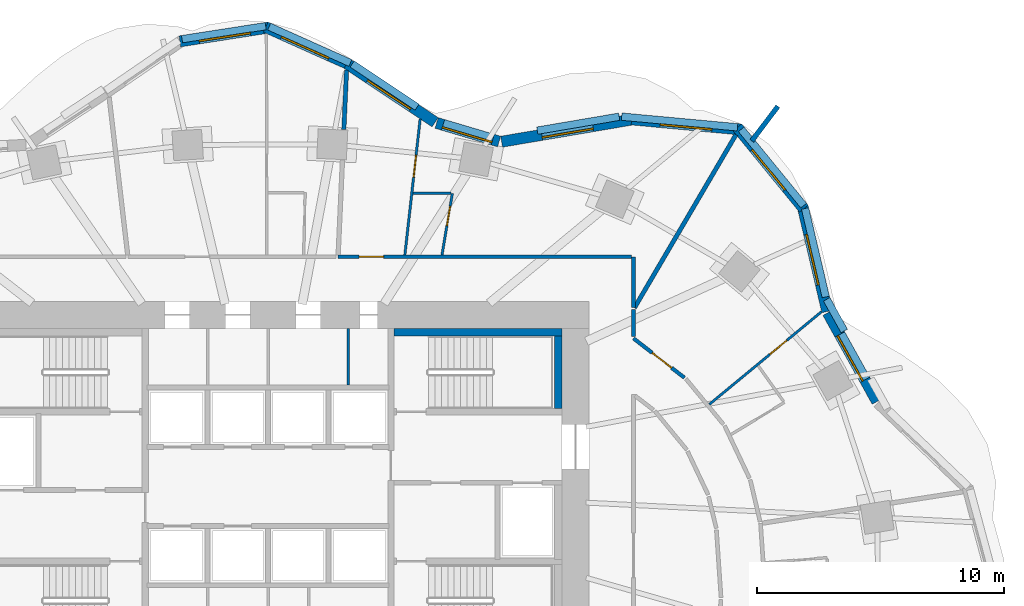
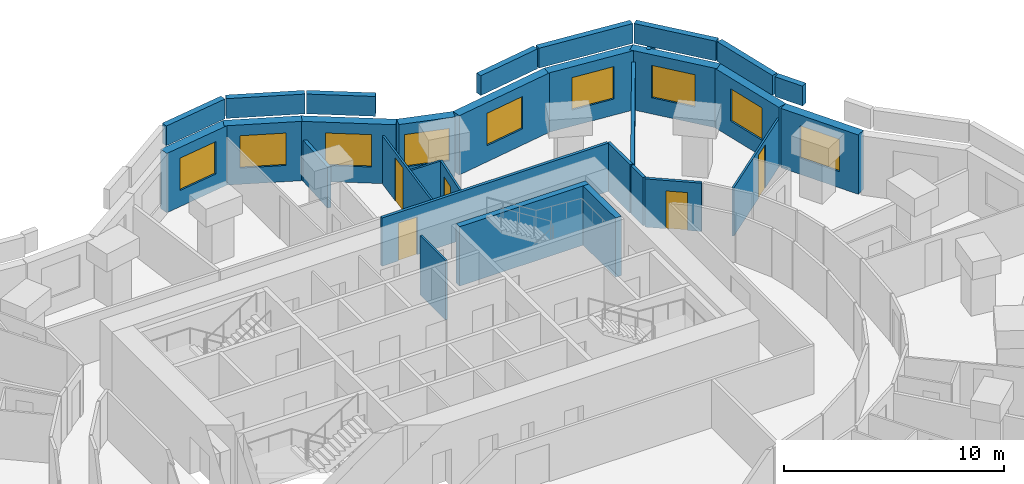
# One storey, part 10 of 12: 31 walls, 9 windows, 5 doors, 14 openings.
"""IFC4 building model written with IfcOpenShell, lengths in metres."""

from ifc_helpers import new_model, si_unit, direction, frame, frame_2d, origin, place, context, subcontext, project, spatial, rectangle, extrude, material, layer, layer_set, type_object, element, fill, save


model = new_model("IFC4")

# Units and contexts
model_context = context("Model", 3, precision=1e-05, world=origin(), true_north=direction((0.0, 1.0)))
body_context = subcontext(model_context, "Body", "Model", "MODEL_VIEW")
ifc_project = project(units=[si_unit("LENGTHUNIT", "METRE"), si_unit("AREAUNIT", "SQUARE_METRE"), si_unit("VOLUMEUNIT", "CUBIC_METRE"), si_unit("PLANEANGLEUNIT", "RADIAN"), si_unit("MASSUNIT", "GRAM", prefix="KILO")], contexts=[model_context])

# Site, building, storey
site_placement = place(None, origin())
site = spatial("IfcSite", under=ifc_project, at=site_placement, CompositionType="ELEMENT")
building_placement = place(site_placement, origin())
building = spatial("IfcBuilding", under=site, at=building_placement, Name="Rubra Terraces Tower", CompositionType="ELEMENT")
storey_placement = place(building_placement, frame((0.0, 0.0, 117.60009765625)))
storey = spatial("IfcBuildingStorey", under=building, at=storey_placement, Name="L28", CompositionType="ELEMENT", Elevation=117.60009765625)

# Walls
ifc_material_1 = material(Name="Twin plasterboard on staggered steel stud, acoustic mineral wool", Category="steel")
ifc_layer_1 = layer(ifc_material_1, 0.175048828125)
ifc_layer_set_1 = layer_set([ifc_layer_1], Name="Twin plasterboard on staggered steel stud, acoustic mineral wool")
wall_type_1 = type_object("IfcWallType", Name="ACOUSTIC PARTY WALL 175", PredefinedType="PARTITIONING", material=ifc_layer_set_1)
wall_1_placement = place(storey_placement, frame((18.94873046875, 18.745361328125, 0.0), z_axis=(0.0, 0.0, 1.0), x_axis=(-0.505754187447, -0.862677634972, 0.0)))
element("IfcWall", 1, at=wall_1_placement, inside=storey, type_object=wall_type_1, Name="PARTITION", PredefinedType="PARTITIONING", context=body_context, shape_type="SweptSolid", body=[
    extrude(rectangle(XDim=8.128173828125, YDim=0.175048828125, at=frame_2d((4.06396484375, 0.0))), origin(), (0.0, 0.0, 1.0), 2.683837890625),
])
ifc_layer_2 = layer(ifc_material_1, 0.175048828125)
ifc_layer_set_2 = layer_set([ifc_layer_2], Name="Twin plasterboard on staggered steel stud, acoustic mineral wool")
wall_type_2 = type_object("IfcWallType", Name="ACOUSTIC PARTY WALL 175 LOW HEAD", PredefinedType="PARTITIONING", material=ifc_layer_set_2)
wall_2_placement = place(storey_placement, frame((3.180419921875, 21.357177734375, 0.0), z_axis=(0.0, 0.0, 1.0), x_axis=(-0.045591899448, -0.998960148707, 0.0)))
element("IfcWall", 2, at=wall_2_placement, inside=storey, type_object=wall_type_2, Name="PARTITION", PredefinedType="PARTITIONING", context=body_context, shape_type="SweptSolid", body=[
    extrude(rectangle(XDim=2.404296875, YDim=0.175048828125, at=frame_2d((1.2021484375, 0.0))), origin(), (0.0, 0.0, 1.0), 2.27978515625),
])

# Wall, opening, window
ifc_material_2 = material(Name="Brick masonry red-brown", Category="masonry")
ifc_layer_3 = layer(ifc_material_2, 0.449951171875)
ifc_layer_set_3 = layer_set([ifc_layer_3], Name="Brick masonry red-brown")
wall_type_3 = type_object("IfcWallType", Name="Brick facade wall 450", PredefinedType="SOLIDWALL", material=ifc_layer_set_3)
wall_3_placement = place(storey_placement, frame((24.662109375, 7.93896484375, 0.0), z_axis=(0.0, 0.0, 1.0), x_axis=(-0.485153910721, 0.874428775208, 0.0)))
wall_3 = element("IfcWall", 3, at=wall_3_placement, inside=storey, type_object=wall_type_3, Name="Facade wall L28 bay 3", PredefinedType="SOLIDWALL", context=body_context, shape_type="SweptSolid", body=[
    extrude(rectangle(XDim=4.1123046875, YDim=0.449951171875, at=frame_2d((2.05615234375, 0.0))), origin(), (0.0, 0.0, 1.0), 3.2998046875),
])
opening_1_placement = place(wall_3_placement, frame((1.006103515625, 0.0, 0.89990234375)))
opening_1 = element("IfcOpeningElement", 4, at=opening_1_placement, cuts=wall_3, Name="Opening W1Z", PredefinedType="OPENING", context=body_context, shape_type="SweptSolid", body=[
    extrude(rectangle(XDim=2.10009765625, YDim=1.800048828125, at=frame_2d((1.050048828125, 0.89990234375))), frame((0.0, 0.23486328125, 0.0), z_axis=(0.0, -1.0, 0.0), x_axis=(1.0, 0.0, 0.0)), (0.0, 0.0, 1.0), 0.469970703125),
])
ifc_material_3 = material(Name="Clear glass in aluminium frame", Category="aluminium")
window_type = type_object("IfcWindowType", Name="Fixed deep-set window under transfer level 2100 x 1800", PartitioningType="SINGLE_PANEL", PredefinedType="WINDOW", material=ifc_material_3)
window_1_placement = place(opening_1_placement, origin())
window_1 = element("IfcWindow", 5, at=window_1_placement, inside=storey, type_object=window_type, Name="Window L28 bay 3", OverallHeight=1.800048828125, OverallWidth=2.10009765625, PartitioningType="SINGLE_PANEL", PredefinedType="WINDOW", context=body_context, shape_type="SweptSolid", body=[
    extrude(rectangle(XDim=2.10009765625, YDim=1.800048828125, at=frame_2d((1.050048828125, 0.89990234375))), frame((0.0, 0.135009765625, 0.0), z_axis=(0.0, -1.0, 0.0), x_axis=(1.0, 0.0, 0.0)), (0.0, 0.0, 1.0), 0.06005859375),
])
fill(opening_1, window_1)

wall_4_placement = place(storey_placement, frame((22.646484375, 11.5859375, 0.0), z_axis=(0.0, 0.0, 1.0), x_axis=(-0.227925124198, 0.973678662475, 0.0)))
wall_4 = element("IfcWall", 6, at=wall_4_placement, inside=storey, type_object=wall_type_3, Name="Facade wall L28 bay 4", PredefinedType="SOLIDWALL", context=body_context, shape_type="SweptSolid", body=[
    extrude(rectangle(XDim=4.360595703125, YDim=0.449951171875, at=frame_2d((2.18017578125, 0.0))), origin(), (0.0, 0.0, 1.0), 3.2998046875),
])
opening_2_placement = place(wall_4_placement, frame((1.13037109375, 0.0, 0.89990234375)))
opening_2 = element("IfcOpeningElement", 7, at=opening_2_placement, cuts=wall_4, Name="Opening W1Z", PredefinedType="OPENING", context=body_context, shape_type="SweptSolid", body=[
    extrude(rectangle(XDim=2.10009765625, YDim=1.800048828125, at=frame_2d((1.050048828125, 0.89990234375))), frame((0.0, 0.23486328125, 0.0), z_axis=(0.0, -1.0, 0.0), x_axis=(1.0, 0.0, 0.0)), (0.0, 0.0, 1.0), 0.469970703125),
])
window_2_placement = place(opening_2_placement, origin())
window_2 = element("IfcWindow", 8, at=window_2_placement, inside=storey, type_object=window_type, Name="Window L28 bay 4", OverallHeight=1.800048828125, OverallWidth=2.10009765625, PartitioningType="SINGLE_PANEL", PredefinedType="WINDOW", context=body_context, shape_type="SweptSolid", body=[
    extrude(rectangle(XDim=2.10009765625, YDim=1.800048828125, at=frame_2d((1.050048828125, 0.89990234375))), frame((0.0, 0.135009765625, 0.0), z_axis=(0.0, -1.0, 0.0), x_axis=(1.0, 0.0, 0.0)), (0.0, 0.0, 1.0), 0.06005859375),
])
fill(opening_2, window_2)

wall_5_placement = place(storey_placement, frame((21.69580078125, 15.74755859375, 0.0), z_axis=(0.0, 0.0, 1.0), x_axis=(-0.632968710519, 0.774177377288, 0.0)))
wall_5 = element("IfcWall", 9, at=wall_5_placement, inside=storey, type_object=wall_type_3, Name="Facade wall L28 bay 5", PredefinedType="SOLIDWALL", context=body_context, shape_type="SweptSolid", body=[
    extrude(rectangle(XDim=4.249755859375, YDim=0.449951171875, at=frame_2d((2.125, 0.0))), origin(), (0.0, 0.0, 1.0), 3.2998046875),
])
opening_3_placement = place(wall_5_placement, frame((1.074951171875, 0.0, 0.89990234375)))
opening_3 = element("IfcOpeningElement", 10, at=opening_3_placement, cuts=wall_5, Name="Opening W1Z", PredefinedType="OPENING", context=body_context, shape_type="SweptSolid", body=[
    extrude(rectangle(XDim=2.10009765625, YDim=1.800048828125, at=frame_2d((1.050048828125, 0.89990234375))), frame((0.0, 0.23486328125, 0.0), z_axis=(0.0, -1.0, 0.0), x_axis=(1.0, 0.0, 0.0)), (0.0, 0.0, 1.0), 0.469970703125),
])
window_3_placement = place(opening_3_placement, origin())
window_3 = element("IfcWindow", 11, at=window_3_placement, inside=storey, type_object=window_type, Name="Window L28 bay 5", OverallHeight=1.800048828125, OverallWidth=2.10009765625, PartitioningType="SINGLE_PANEL", PredefinedType="WINDOW", context=body_context, shape_type="SweptSolid", body=[
    extrude(rectangle(XDim=2.10009765625, YDim=1.800048828125, at=frame_2d((1.050048828125, 0.89990234375))), frame((0.0, 0.135009765625, 0.0), z_axis=(0.0, -1.0, 0.0), x_axis=(1.0, 0.0, 0.0)), (0.0, 0.0, 1.0), 0.06005859375),
])
fill(opening_3, window_3)

wall_6_placement = place(storey_placement, frame((19.1591796875, 18.955810546875, 0.0), z_axis=(0.0, 0.0, 1.0), x_axis=(-0.995777399421, 0.091800712424, 0.0)))
wall_6 = element("IfcWall", 12, at=wall_6_placement, inside=storey, type_object=wall_type_3, Name="Facade wall L28 bay 6", PredefinedType="SOLIDWALL", context=body_context, shape_type="SweptSolid", body=[
    extrude(rectangle(XDim=4.45458984375, YDim=0.449951171875, at=frame_2d((2.227294921875, 0.0))), origin(), (0.0, 0.0, 1.0), 3.2998046875),
])
opening_4_placement = place(wall_6_placement, frame((1.177490234375, 0.0, 0.89990234375)))
opening_4 = element("IfcOpeningElement", 13, at=opening_4_placement, cuts=wall_6, Name="Opening W1Z", PredefinedType="OPENING", context=body_context, shape_type="SweptSolid", body=[
    extrude(rectangle(XDim=2.10009765625, YDim=1.800048828125, at=frame_2d((1.050048828125, 0.89990234375))), frame((0.0, 0.23486328125, 0.0), z_axis=(0.0, -1.0, 0.0), x_axis=(1.0, 0.0, 0.0)), (0.0, 0.0, 1.0), 0.469970703125),
])
window_4_placement = place(opening_4_placement, origin())
window_4 = element("IfcWindow", 14, at=window_4_placement, inside=storey, type_object=window_type, Name="Window L28 bay 6", OverallHeight=1.800048828125, OverallWidth=2.10009765625, PartitioningType="SINGLE_PANEL", PredefinedType="WINDOW", context=body_context, shape_type="SweptSolid", body=[
    extrude(rectangle(XDim=2.10009765625, YDim=1.800048828125, at=frame_2d((1.050048828125, 0.89990234375))), frame((0.0, 0.135009765625, 0.0), z_axis=(0.0, -1.0, 0.0), x_axis=(1.0, 0.0, 0.0)), (0.0, 0.0, 1.0), 0.06005859375),
])
fill(opening_4, window_4)

wall_7_placement = place(storey_placement, frame((14.78173828125, 19.366943359375, 0.0), z_axis=(0.0, 0.0, 1.0), x_axis=(-0.98585584667, -0.167595493934, 0.0)))
wall_7 = element("IfcWall", 15, at=wall_7_placement, inside=storey, type_object=wall_type_3, Name="Facade wall L28 bay 7", PredefinedType="SOLIDWALL", context=body_context, shape_type="SweptSolid", body=[
    extrude(rectangle(XDim=5.398681640625, YDim=0.449951171875, at=frame_2d((2.69921875, 0.0))), origin(), (0.0, 0.0, 1.0), 3.2998046875),
])
opening_5_placement = place(wall_7_placement, frame((1.6494140625, 0.0, 0.89990234375)))
opening_5 = element("IfcOpeningElement", 16, at=opening_5_placement, cuts=wall_7, Name="Opening W1Z", PredefinedType="OPENING", context=body_context, shape_type="SweptSolid", body=[
    extrude(rectangle(XDim=2.10009765625, YDim=1.800048828125, at=frame_2d((1.050048828125, 0.89990234375))), frame((0.0, 0.23486328125, 0.0), z_axis=(0.0, -1.0, 0.0), x_axis=(1.0, 0.0, 0.0)), (0.0, 0.0, 1.0), 0.469970703125),
])
window_5_placement = place(opening_5_placement, origin())
window_5 = element("IfcWindow", 17, at=window_5_placement, inside=storey, type_object=window_type, Name="Window L28 bay 7", OverallHeight=1.800048828125, OverallWidth=2.10009765625, PartitioningType="SINGLE_PANEL", PredefinedType="WINDOW", context=body_context, shape_type="SweptSolid", body=[
    extrude(rectangle(XDim=2.10009765625, YDim=1.800048828125, at=frame_2d((1.050048828125, 0.89990234375))), frame((0.0, 0.135009765625, 0.0), z_axis=(0.0, -1.0, 0.0), x_axis=(1.0, 0.0, 0.0)), (0.0, 0.0, 1.0), 0.06005859375),
])
fill(opening_5, window_5)

wall_8_placement = place(storey_placement, frame((9.357421875, 18.468505859375, 0.0), z_axis=(0.0, 0.0, 1.0), x_axis=(-0.958524054629, 0.285011643091, 0.0)))
wall_8 = element("IfcWall", 18, at=wall_8_placement, inside=storey, type_object=wall_type_3, Name="Facade wall L28 bay 8", PredefinedType="SOLIDWALL", context=body_context, shape_type="SweptSolid", body=[
    extrude(rectangle(XDim=2.637451171875, YDim=0.449951171875, at=frame_2d((1.31884765625, 0.0))), origin(), (0.0, 0.0, 1.0), 3.2998046875),
])
opening_6_placement = place(wall_8_placement, frame((0.268798828125, 0.0, 0.89990234375)))
opening_6 = element("IfcOpeningElement", 19, at=opening_6_placement, cuts=wall_8, Name="Opening W1Z", PredefinedType="OPENING", context=body_context, shape_type="SweptSolid", body=[
    extrude(rectangle(XDim=2.10009765625, YDim=1.800048828125, at=frame_2d((1.050048828125, 0.89990234375))), frame((0.0, 0.23486328125, 0.0), z_axis=(0.0, -1.0, 0.0), x_axis=(1.0, 0.0, 0.0)), (0.0, 0.0, 1.0), 0.469970703125),
])
window_6_placement = place(opening_6_placement, origin())
window_6 = element("IfcWindow", 20, at=window_6_placement, inside=storey, type_object=window_type, Name="Window L28 bay 8", OverallHeight=1.800048828125, OverallWidth=2.10009765625, PartitioningType="SINGLE_PANEL", PredefinedType="WINDOW", context=body_context, shape_type="SweptSolid", body=[
    extrude(rectangle(XDim=2.10009765625, YDim=1.800048828125, at=frame_2d((1.050048828125, 0.89990234375))), frame((0.0, 0.135009765625, 0.0), z_axis=(0.0, -1.0, 0.0), x_axis=(1.0, 0.0, 0.0)), (0.0, 0.0, 1.0), 0.06005859375),
])
fill(opening_6, window_6)

wall_9_placement = place(storey_placement, frame((6.76904296875, 19.248291015625, 0.0), z_axis=(0.0, 0.0, 1.0), x_axis=(-0.832973379274, 0.553313066375, 0.0)))
wall_9 = element("IfcWall", 21, at=wall_9_placement, inside=storey, type_object=wall_type_3, Name="Facade wall L28 bay 9", PredefinedType="SOLIDWALL", context=body_context, shape_type="SweptSolid", body=[
    extrude(rectangle(XDim=4.348388671875, YDim=0.449951171875, at=frame_2d((2.17431640625, 0.0))), origin(), (0.0, 0.0, 1.0), 3.2998046875),
])
opening_7_placement = place(wall_9_placement, frame((1.1240234375, 0.0, 0.89990234375)))
opening_7 = element("IfcOpeningElement", 22, at=opening_7_placement, cuts=wall_9, Name="Opening W1Z", PredefinedType="OPENING", context=body_context, shape_type="SweptSolid", body=[
    extrude(rectangle(XDim=2.10009765625, YDim=1.800048828125, at=frame_2d((1.050048828125, 0.89990234375))), frame((0.0, 0.23486328125, 0.0), z_axis=(0.0, -1.0, 0.0), x_axis=(1.0, 0.0, 0.0)), (0.0, 0.0, 1.0), 0.469970703125),
])
window_7_placement = place(opening_7_placement, origin())
window_7 = element("IfcWindow", 23, at=window_7_placement, inside=storey, type_object=window_type, Name="Window L28 bay 9", OverallHeight=1.800048828125, OverallWidth=2.10009765625, PartitioningType="SINGLE_PANEL", PredefinedType="WINDOW", context=body_context, shape_type="SweptSolid", body=[
    extrude(rectangle(XDim=2.10009765625, YDim=1.800048828125, at=frame_2d((1.050048828125, 0.89990234375))), frame((0.0, 0.135009765625, 0.0), z_axis=(0.0, -1.0, 0.0), x_axis=(1.0, 0.0, 0.0)), (0.0, 0.0, 1.0), 0.06005859375),
])
fill(opening_7, window_7)

wall_10_placement = place(storey_placement, frame((3.179443359375, 21.63623046875, 0.0), z_axis=(0.0, 0.0, 1.0), x_axis=(-0.912608353595, 0.40883492139, 0.0)))
wall_10 = element("IfcWall", 24, at=wall_10_placement, inside=storey, type_object=wall_type_3, Name="Facade wall L28 bay 10", PredefinedType="SOLIDWALL", context=body_context, shape_type="SweptSolid", body=[
    extrude(rectangle(XDim=3.584716796875, YDim=0.449951171875, at=frame_2d((1.79248046875, 0.0))), origin(), (0.0, 0.0, 1.0), 3.2998046875),
])
opening_8_placement = place(wall_10_placement, frame((0.7421875, 0.0, 0.89990234375)))
opening_8 = element("IfcOpeningElement", 25, at=opening_8_placement, cuts=wall_10, Name="Opening W1Z", PredefinedType="OPENING", context=body_context, shape_type="SweptSolid", body=[
    extrude(rectangle(XDim=2.10009765625, YDim=1.800048828125, at=frame_2d((1.050048828125, 0.89990234375))), frame((0.0, 0.23486328125, 0.0), z_axis=(0.0, -1.0, 0.0), x_axis=(1.0, 0.0, 0.0)), (0.0, 0.0, 1.0), 0.469970703125),
])
window_8_placement = place(opening_8_placement, origin())
window_8 = element("IfcWindow", 26, at=window_8_placement, inside=storey, type_object=window_type, Name="Window L28 bay 10", OverallHeight=1.800048828125, OverallWidth=2.10009765625, PartitioningType="SINGLE_PANEL", PredefinedType="WINDOW", context=body_context, shape_type="SweptSolid", body=[
    extrude(rectangle(XDim=2.10009765625, YDim=1.800048828125, at=frame_2d((1.050048828125, 0.89990234375))), frame((0.0, 0.135009765625, 0.0), z_axis=(0.0, -1.0, 0.0), x_axis=(1.0, 0.0, 0.0)), (0.0, 0.0, 1.0), 0.06005859375),
])
fill(opening_8, window_8)

wall_11_placement = place(storey_placement, frame((0.03466796875, 23.084716796875, 0.0), z_axis=(0.0, 0.0, 1.0), x_axis=(-0.988133637562, -0.153596596054, 0.0)))
wall_11 = element("IfcWall", 27, at=wall_11_placement, inside=storey, type_object=wall_type_3, Name="Facade wall L28 bay 11", PredefinedType="SOLIDWALL", context=body_context, shape_type="SweptSolid", body=[
    extrude(rectangle(XDim=3.646240234375, YDim=0.449951171875, at=frame_2d((1.8232421875, 0.0))), origin(), (0.0, 0.0, 1.0), 3.2998046875),
])
opening_9_placement = place(wall_11_placement, frame((0.773193359375, 0.0, 0.89990234375)))
opening_9 = element("IfcOpeningElement", 28, at=opening_9_placement, cuts=wall_11, Name="Opening W1Z", PredefinedType="OPENING", context=body_context, shape_type="SweptSolid", body=[
    extrude(rectangle(XDim=2.10009765625, YDim=1.800048828125, at=frame_2d((1.050048828125, 0.89990234375))), frame((0.0, 0.23486328125, 0.0), z_axis=(0.0, -1.0, 0.0), x_axis=(1.0, 0.0, 0.0)), (0.0, 0.0, 1.0), 0.469970703125),
])
window_9_placement = place(opening_9_placement, origin())
window_9 = element("IfcWindow", 29, at=window_9_placement, inside=storey, type_object=window_type, Name="Window L28 bay 11", OverallHeight=1.800048828125, OverallWidth=2.10009765625, PartitioningType="SINGLE_PANEL", PredefinedType="WINDOW", context=body_context, shape_type="SweptSolid", body=[
    extrude(rectangle(XDim=2.10009765625, YDim=1.800048828125, at=frame_2d((1.050048828125, 0.89990234375))), frame((0.0, 0.135009765625, 0.0), z_axis=(0.0, -1.0, 0.0), x_axis=(1.0, 0.0, 0.0)), (0.0, 0.0, 1.0), 0.06005859375),
])
fill(opening_9, window_9)

# Walls
ifc_layer_4 = layer(ifc_material_2, 0.300048828125)
ifc_layer_set_4 = layer_set([ifc_layer_4], Name="Brick masonry red-brown")
wall_type_4 = type_object("IfcWallType", Name="Brick parapet 300", PredefinedType="PARAPET", material=ifc_layer_set_4)
wall_12_placement = place(storey_placement, frame((23.333251953125, 10.7978515625, 3.599853515625), z_axis=(0.0, 0.0, 1.0), x_axis=(-0.4851761923, 0.874416412486, 0.0)))
element("IfcWall", 30, at=wall_12_placement, inside=storey, type_object=wall_type_4, Name="Parapet L28 bay 3.2", PredefinedType="PARAPET", context=body_context, shape_type="SweptSolid", body=[
    extrude(rectangle(XDim=1.4658203125, YDim=0.300048828125, at=frame_2d((0.73291015625, 0.0))), origin(), (0.0, 0.0, 1.0), 1.10009765625),
])
wall_13_placement = place(storey_placement, frame((22.585693359375, 12.173583984375, 3.599853515625), z_axis=(0.0, 0.0, 1.0), x_axis=(-0.227889817295, 0.973686926673, 0.0)))
element("IfcWall", 31, at=wall_13_placement, inside=storey, type_object=wall_type_4, Name="Parapet L28 bay 4", PredefinedType="PARAPET", context=body_context, shape_type="SweptSolid", body=[
    extrude(rectangle(XDim=3.68212890625, YDim=0.300048828125, at=frame_2d((1.841064453125, 0.0))), origin(), (0.0, 0.0, 1.0), 1.10009765625),
])
wall_14_placement = place(storey_placement, frame((21.69091796875, 15.8720703125, 3.599853515625), z_axis=(0.0, 0.0, 1.0), x_axis=(-0.632984818356, 0.774164207214, 0.0)))
element("IfcWall", 32, at=wall_14_placement, inside=storey, type_object=wall_type_4, Name="Parapet L28 bay 5", PredefinedType="PARAPET", context=body_context, shape_type="SweptSolid", body=[
    extrude(rectangle(XDim=3.99462890625, YDim=0.300048828125, at=frame_2d((1.997314453125, 0.0))), origin(), (0.0, 0.0, 1.0), 1.10009765625),
])
wall_15_placement = place(storey_placement, frame((19.01123046875, 19.044921875, 3.599853515625), z_axis=(0.0, 0.0, 1.0), x_axis=(-0.995781185236, 0.091759637809, 0.0)))
element("IfcWall", 33, at=wall_15_placement, inside=storey, type_object=wall_type_4, Name="Parapet L28 bay 6", PredefinedType="PARAPET", context=body_context, shape_type="SweptSolid", body=[
    extrude(rectangle(XDim=4.7119140625, YDim=0.300048828125, at=frame_2d((2.35595703125, 0.0))), origin(), (0.0, 0.0, 1.0), 1.10009765625),
])
wall_16_placement = place(storey_placement, frame((14.220947265625, 19.473388671875, 3.599853515625), z_axis=(0.0, 0.0, 1.0), x_axis=(-0.985863279186, -0.167551767381, 0.0)))
element("IfcWall", 34, at=wall_16_placement, inside=storey, type_object=wall_type_4, Name="Parapet L28 bay 7", PredefinedType="PARAPET", context=body_context, shape_type="SweptSolid", body=[
    extrude(rectangle(XDim=3.364501953125, YDim=0.300048828125, at=frame_2d((1.68212890625, 0.0))), origin(), (0.0, 0.0, 1.0), 1.10009765625),
])
wall_17_placement = place(storey_placement, frame((6.03662109375, 19.86279296875, 3.599853515625), z_axis=(0.0, 0.0, 1.0), x_axis=(-0.832989992548, 0.553288055459, 0.0)))
element("IfcWall", 35, at=wall_17_placement, inside=storey, type_object=wall_type_4, Name="Parapet L28 bay 9", PredefinedType="PARAPET", context=body_context, shape_type="SweptSolid", body=[
    extrude(rectangle(XDim=3.153564453125, YDim=0.300048828125, at=frame_2d((1.57666015625, 0.0))), origin(), (0.0, 0.0, 1.0), 1.10009765625),
])
wall_18_placement = place(storey_placement, frame((3.335693359375, 21.6484375, 3.599853515625), z_axis=(0.0, 0.0, 1.0), x_axis=(-0.912617427268, 0.40881466638, 0.0)))
element("IfcWall", 36, at=wall_18_placement, inside=storey, type_object=wall_type_4, Name="Parapet L28 bay 10", PredefinedType="PARAPET", context=body_context, shape_type="SweptSolid", body=[
    extrude(rectangle(XDim=3.603515625, YDim=0.300048828125, at=frame_2d((1.8017578125, 0.0))), origin(), (0.0, 0.0, 1.0), 1.10009765625),
])
wall_19_placement = place(storey_placement, frame((-0.09423828125, 23.140380859375, 3.599853515625), z_axis=(0.0, 0.0, 1.0), x_axis=(-0.988150084887, -0.153490748056, 0.0)))
element("IfcWall", 37, at=wall_19_placement, inside=storey, type_object=wall_type_4, Name="Parapet L28 bay 11", PredefinedType="PARAPET", context=body_context, shape_type="SweptSolid", body=[
    extrude(rectangle(XDim=3.42919921875, YDim=0.300048828125, at=frame_2d((1.714599609375, 0.0))), origin(), (0.0, 0.0, 1.0), 1.10009765625),
])
ifc_layer_5 = layer(ifc_material_2, 0.199951171875)
ifc_layer_set_5 = layer_set([ifc_layer_5], Name="Brick masonry red-brown")
wall_type_5 = type_object("IfcWallType", Name="Brick wind fin 200", PredefinedType="SOLIDWALL", material=ifc_layer_set_5)
wall_20_placement = place(storey_placement, frame((19.591064453125, 18.498046875, 0.0), z_axis=(0.0, 0.0, 1.0), x_axis=(0.603387525063, 0.797448114048, 0.0)))
element("IfcWall", 38, at=wall_20_placement, inside=storey, type_object=wall_type_5, Name="Wind fin L28 3", PredefinedType="SOLIDWALL", context=body_context, shape_type="SweptSolid", body=[
    extrude(rectangle(XDim=1.75, YDim=0.199951171875, at=frame_2d((0.875, 0.0))), origin(), (0.0, 0.0, 1.0), 3.2998046875),
])

# Wall, opening, door
ifc_material_4 = material(Name="Plasterboard on steel stud, mineral wool infill", Category="steel")
ifc_layer_6 = layer(ifc_material_4, 0.14990234375)
ifc_layer_set_6 = layer_set([ifc_layer_6], Name="Plasterboard on steel stud, mineral wool infill")
wall_type_6 = type_object("IfcWallType", Name="CORRIDOR PARTITION 150", PredefinedType="PARTITIONING", material=ifc_layer_set_6)
wall_21_placement = place(storey_placement, frame((16.86181640625, 8.905029296875, 0.0), z_axis=(0.0, 0.0, 1.0), x_axis=(-0.791542595332, 0.611113999001, 0.0)))
wall_21 = element("IfcWall", 39, at=wall_21_placement, inside=storey, type_object=wall_type_6, Name="PARTITION", PredefinedType="PARTITIONING", context=body_context, shape_type="SweptSolid", body=[
    extrude(rectangle(XDim=2.604736328125, YDim=0.14990234375, at=frame_2d((1.30224609375, 0.0))), origin(), (0.0, 0.0, 1.0), 2.683837890625),
])
opening_10_placement = place(wall_21_placement, frame((0.64990234375, 0.0, 0.0)))
opening_10 = element("IfcOpeningElement", 40, at=opening_10_placement, cuts=wall_21, Name="Opening 28-114", PredefinedType="OPENING", context=body_context, shape_type="SweptSolid", body=[
    extrude(rectangle(XDim=1.0, YDim=2.10009765625, at=frame_2d((0.5, 1.050048828125))), frame((0.0, 0.0849609375, 0.0), z_axis=(0.0, -1.0, 0.0), x_axis=(1.0, 0.0, 0.0)), (0.0, 0.0, 1.0), 0.169921875),
])
ifc_material_5 = material(Name="Painted timber door leaf", Category="wood")
door_type_1 = type_object("IfcDoorType", Name="ROOM DOOR 1000 X 2100", OperationType="SINGLE_SWING_LEFT", PredefinedType="DOOR", material=ifc_material_5)
door_1_placement = place(opening_10_placement, origin())
door_1 = element("IfcDoor", 41, at=door_1_placement, inside=storey, type_object=door_type_1, Name="DOOR 28-114", OperationType="SINGLE_SWING_RIGHT", OverallHeight=2.10009765625, OverallWidth=1.0, PredefinedType="DOOR", context=body_context, shape_type="SweptSolid", body=[
    extrude(rectangle(XDim=1.0, YDim=2.10009765625, at=frame_2d((0.5, 1.050048828125))), frame((0.0, 0.02490234375, 0.0), z_axis=(0.0, -1.0, 0.0), x_axis=(1.0, 0.0, 0.0)), (0.0, 0.0, 1.0), 0.050048828125),
])
fill(opening_10, door_1)

# Walls
wall_22_placement = place(storey_placement, frame((14.800048828125, 10.57177734375, 0.0), z_axis=(0.0, 0.0, 1.0), x_axis=(0.0, 1.0, 0.0)))
element("IfcWall", 42, at=wall_22_placement, inside=storey, type_object=wall_type_6, Name="PARTITION", PredefinedType="PARTITIONING", context=body_context, shape_type="SweptSolid", body=[
    extrude(rectangle(XDim=1.096923828125, YDim=0.14990234375, at=frame_2d((0.54833984375, 0.0))), origin(), (0.0, 0.0, 1.0), 2.683837890625),
])
wall_23_placement = place(storey_placement, frame((14.800048828125, 11.74365234375, 0.0), z_axis=(0.0, 0.0, 1.0), x_axis=(0.0, 1.0, 0.0)))
element("IfcWall", 43, at=wall_23_placement, inside=storey, type_object=wall_type_6, Name="PARTITION", PredefinedType="PARTITIONING", context=body_context, shape_type="SweptSolid", body=[
    extrude(rectangle(XDim=2.056396484375, YDim=0.14990234375, at=frame_2d((1.0283203125, 0.0))), origin(), (0.0, 0.0, 1.0), 2.683837890625),
])

# Wall, opening, door
wall_24_placement = place(storey_placement, frame((14.72509765625, 13.800048828125, 0.0), z_axis=(0.0, 0.0, 1.0), x_axis=(-1.0, 0.0, 0.0)))
wall_24 = element("IfcWall", 44, at=wall_24_placement, inside=storey, type_object=wall_type_6, Name="PARTITION", PredefinedType="PARTITIONING", context=body_context, shape_type="SweptSolid", body=[
    extrude(rectangle(XDim=11.889404296875, YDim=0.14990234375, at=frame_2d((5.94482421875, 0.0))), origin(), (0.0, 0.0, 1.0), 2.683837890625),
])
opening_11_placement = place(wall_24_placement, frame((10.041015625, 0.0, 0.0)))
opening_11 = element("IfcOpeningElement", 45, at=opening_11_placement, cuts=wall_24, Name="Opening 28-117", PredefinedType="OPENING", context=body_context, shape_type="SweptSolid", body=[
    extrude(rectangle(XDim=1.0, YDim=2.10009765625, at=frame_2d((0.5, 1.050048828125))), frame((0.0, 0.0849609375, 0.0), z_axis=(0.0, -1.0, 0.0), x_axis=(1.0, 0.0, 0.0)), (0.0, 0.0, 1.0), 0.169921875),
])
door_2_placement = place(opening_11_placement, origin())
door_2 = element("IfcDoor", 46, at=door_2_placement, inside=storey, type_object=door_type_1, Name="DOOR 28-117", OperationType="SINGLE_SWING_RIGHT", OverallHeight=2.10009765625, OverallWidth=1.0, PredefinedType="DOOR", context=body_context, shape_type="SweptSolid", body=[
    extrude(rectangle(XDim=1.0, YDim=2.10009765625, at=frame_2d((0.5, 1.050048828125))), frame((0.0, 0.02490234375, 0.0), z_axis=(0.0, -1.0, 0.0), x_axis=(1.0, 0.0, 0.0)), (0.0, 0.0, 1.0), 0.050048828125),
])
fill(opening_11, door_2)

# Walls
ifc_material_6 = material(Name="Concrete C40", Category="concrete")
ifc_layer_7 = layer(ifc_material_6, 0.300048828125)
ifc_layer_set_7 = layer_set([ifc_layer_7], Name="Concrete C40")
wall_type_7 = type_object("IfcWallType", Name="Core lining wall 300 concrete", PredefinedType="SOLIDWALL", material=ifc_layer_set_7)
wall_25_placement = place(storey_placement, frame((11.89990234375, 10.75, 0.0), z_axis=(0.0, 0.0, 1.0), x_axis=(-1.0, 0.0, 0.0)))
element("IfcWall", 47, at=wall_25_placement, inside=storey, type_object=wall_type_7, Name="CORE LINING WALL L28", PredefinedType="SOLIDWALL", context=body_context, shape_type="SweptSolid", body=[
    extrude(rectangle(XDim=6.7998046875, YDim=0.300048828125, at=frame_2d((3.39990234375, 0.0))), origin(), (0.0, 0.0, 1.0), 3.2998046875),
])
wall_26_placement = place(storey_placement, frame((11.75, 10.60009765625, 0.0), z_axis=(0.0, 0.0, 1.0), x_axis=(0.0, -1.0, 0.0)))
element("IfcWall", 48, at=wall_26_placement, inside=storey, type_object=wall_type_7, Name="CORE LINING WALL L28", PredefinedType="SOLIDWALL", context=body_context, shape_type="SweptSolid", body=[
    extrude(rectangle(XDim=2.9501953125, YDim=0.300048828125, at=frame_2d((1.47509765625, 0.0))), origin(), (0.0, 0.0, 1.0), 3.2998046875),
])

# Wall, opening, door
ifc_material_7 = material(Name="Plasterboard on steel stud", Category="steel")
ifc_layer_8 = layer(ifc_material_7, 0.10009765625)
ifc_layer_set_8 = layer_set([ifc_layer_8], Name="Plasterboard on steel stud")
wall_type_8 = type_object("IfcWallType", Name="ROOM PARTITION 100", PredefinedType="PARTITIONING", material=ifc_layer_set_8)
wall_27_placement = place(storey_placement, frame((22.41357421875, 11.576416015625, 0.0), z_axis=(0.0, 0.0, 1.0), x_axis=(-0.77113161257, -0.636675769992, 0.0)))
wall_27 = element("IfcWall", 49, at=wall_27_placement, inside=storey, type_object=wall_type_8, Name="PARTITION", PredefinedType="PARTITIONING", context=body_context, shape_type="SweptSolid", body=[
    extrude(rectangle(XDim=5.890380859375, YDim=0.10009765625, at=frame_2d((2.9453125, 0.0))), origin(), (0.0, 0.0, 1.0), 2.683837890625),
])
opening_12_placement = place(wall_27_placement, frame((1.81494140625, 0.0, 0.0)))
opening_12 = element("IfcOpeningElement", 50, at=opening_12_placement, cuts=wall_27, Name="Opening 28-113", PredefinedType="OPENING", context=body_context, shape_type="SweptSolid", body=[
    extrude(rectangle(XDim=0.89990234375, YDim=2.39990234375, at=frame_2d((0.449951171875, 1.199951171875))), frame((0.0, 0.06005859375, 0.0), z_axis=(0.0, -1.0, 0.0), x_axis=(1.0, 0.0, 0.0)), (0.0, 0.0, 1.0), 0.1201171875),
])
ifc_material_8 = material(Name="Veneered timber door leaf, fire-rated", Category="wood")
door_type_2 = type_object("IfcDoorType", Name="SUITE ENTRANCE DOOR 900 X 2400", OperationType="SINGLE_SWING_LEFT", PredefinedType="DOOR", material=ifc_material_8)
door_3_placement = place(opening_12_placement, origin())
door_3 = element("IfcDoor", 51, at=door_3_placement, inside=storey, type_object=door_type_2, Name="DOOR 28-113", OperationType="SINGLE_SWING_LEFT", OverallHeight=2.39990234375, OverallWidth=0.89990234375, PredefinedType="DOOR", context=body_context, shape_type="SweptSolid", body=[
    extrude(rectangle(XDim=0.89990234375, YDim=2.39990234375, at=frame_2d((0.449951171875, 1.199951171875))), frame((0.0, 0.02490234375, 0.0), z_axis=(0.0, -1.0, 0.0), x_axis=(1.0, 0.0, 0.0)), (0.0, 0.0, 1.0), 0.050048828125),
])
fill(opening_12, door_3)

wall_28_placement = place(storey_placement, frame((6.160888671875, 19.37744140625, 0.0), z_axis=(0.0, 0.0, 1.0), x_axis=(-0.11193626313, -0.993715388326, 0.0)))
wall_28 = element("IfcWall", 52, at=wall_28_placement, inside=storey, type_object=wall_type_8, Name="PARTITION", PredefinedType="PARTITIONING", context=body_context, shape_type="SweptSolid", body=[
    extrude(rectangle(XDim=5.537841796875, YDim=0.10009765625, at=frame_2d((2.76904296875, 0.0))), origin(), (0.0, 0.0, 1.0), 2.683837890625),
])
opening_13_placement = place(wall_28_placement, frame((1.462890625, 0.0, 0.0)))
opening_13 = element("IfcOpeningElement", 53, at=opening_13_placement, cuts=wall_28, Name="Opening 28-116", PredefinedType="OPENING", context=body_context, shape_type="SweptSolid", body=[
    extrude(rectangle(XDim=0.89990234375, YDim=2.39990234375, at=frame_2d((0.449951171875, 1.199951171875))), frame((0.0, 0.06005859375, 0.0), z_axis=(0.0, -1.0, 0.0), x_axis=(1.0, 0.0, 0.0)), (0.0, 0.0, 1.0), 0.1201171875),
])
door_4_placement = place(opening_13_placement, origin())
door_4 = element("IfcDoor", 54, at=door_4_placement, inside=storey, type_object=door_type_2, Name="DOOR 28-116", OperationType="SINGLE_SWING_LEFT", OverallHeight=2.39990234375, OverallWidth=0.89990234375, PredefinedType="DOOR", context=body_context, shape_type="SweptSolid", body=[
    extrude(rectangle(XDim=0.89990234375, YDim=2.39990234375, at=frame_2d((0.449951171875, 1.199951171875))), frame((0.0, 0.02490234375, 0.0), z_axis=(0.0, -1.0, 0.0), x_axis=(1.0, 0.0, 0.0)), (0.0, 0.0, 1.0), 0.050048828125),
])
fill(opening_13, door_4)

wall_29_placement = place(storey_placement, frame((7.045166015625, 13.8740234375, 0.0), z_axis=(0.0, 0.0, 1.0), x_axis=(0.165339678844, 0.986236680823, 0.0)))
wall_29 = element("IfcWall", 55, at=wall_29_placement, inside=storey, type_object=wall_type_8, Name="PARTITION", PredefinedType="PARTITIONING", context=body_context, shape_type="SweptSolid", body=[
    extrude(rectangle(XDim=2.52490234375, YDim=0.10009765625, at=frame_2d((1.262451171875, 0.0))), origin(), (0.0, 0.0, 1.0), 2.683837890625),
])
opening_14_placement = place(wall_29_placement, frame((1.199951171875, 0.0, 0.0)))
opening_14 = element("IfcOpeningElement", 56, at=opening_14_placement, cuts=wall_29, Name="Opening 28-115", PredefinedType="OPENING", context=body_context, shape_type="SweptSolid", body=[
    extrude(rectangle(XDim=0.800048828125, YDim=2.10009765625, at=frame_2d((0.39990234375, 1.050048828125))), frame((0.0, 0.06005859375, 0.0), z_axis=(0.0, -1.0, 0.0), x_axis=(1.0, 0.0, 0.0)), (0.0, 0.0, 1.0), 0.1201171875),
])
door_type_3 = type_object("IfcDoorType", Name="BATHROOM DOOR 800 X 2100", OperationType="SINGLE_SWING_LEFT", PredefinedType="DOOR", material=ifc_material_5)
door_5_placement = place(opening_14_placement, origin())
door_5 = element("IfcDoor", 57, at=door_5_placement, inside=storey, type_object=door_type_3, Name="DOOR 28-115", OperationType="SINGLE_SWING_LEFT", OverallHeight=2.10009765625, OverallWidth=0.800048828125, PredefinedType="DOOR", context=body_context, shape_type="SweptSolid", body=[
    extrude(rectangle(XDim=0.800048828125, YDim=2.10009765625, at=frame_2d((0.39990234375, 1.050048828125))), frame((0.0, 0.02490234375, 0.0), z_axis=(0.0, -1.0, 0.0), x_axis=(1.0, 0.0, 0.0)), (0.0, 0.0, 1.0), 0.050048828125),
])
fill(opening_14, door_5)

# Walls
wall_30_placement = place(storey_placement, frame((7.41259765625, 16.36474609375, 0.0), z_axis=(0.0, 0.0, 1.0), x_axis=(-0.999929213278, 0.011898253371, 0.0)))
element("IfcWall", 58, at=wall_30_placement, inside=storey, type_object=wall_type_8, Name="PARTITION", PredefinedType="PARTITIONING", context=body_context, shape_type="SweptSolid", body=[
    extrude(rectangle(XDim=1.538818359375, YDim=0.10009765625, at=frame_2d((0.76953125, 0.0))), origin(), (0.0, 0.0, 1.0), 2.683837890625),
])
ifc_material_9 = material(Name="Blockwork", Category="masonry")
ifc_layer_9 = layer(ifc_material_9, 0.10009765625)
ifc_layer_set_9 = layer_set([ifc_layer_9], Name="Blockwork")
wall_type_9 = type_object("IfcWallType", Name="Service partition 100 blockwork", PredefinedType="PARTITIONING", material=ifc_layer_set_9)
wall_31_placement = place(storey_placement, frame((3.25, 8.60009765625, 0.0), z_axis=(0.0, 0.0, 1.0), x_axis=(0.0, 1.0, 0.0)))
element("IfcWall", 59, at=wall_31_placement, inside=storey, type_object=wall_type_9, Name="SERVICE ROOM PARTITION L28", PredefinedType="PARTITIONING", context=body_context, shape_type="SweptSolid", body=[
    extrude(rectangle(XDim=2.2998046875, YDim=0.10009765625, at=frame_2d((1.14990234375, 0.0))), origin(), (0.0, 0.0, 1.0), 3.2998046875),
])

save(model, "model.ifc")
